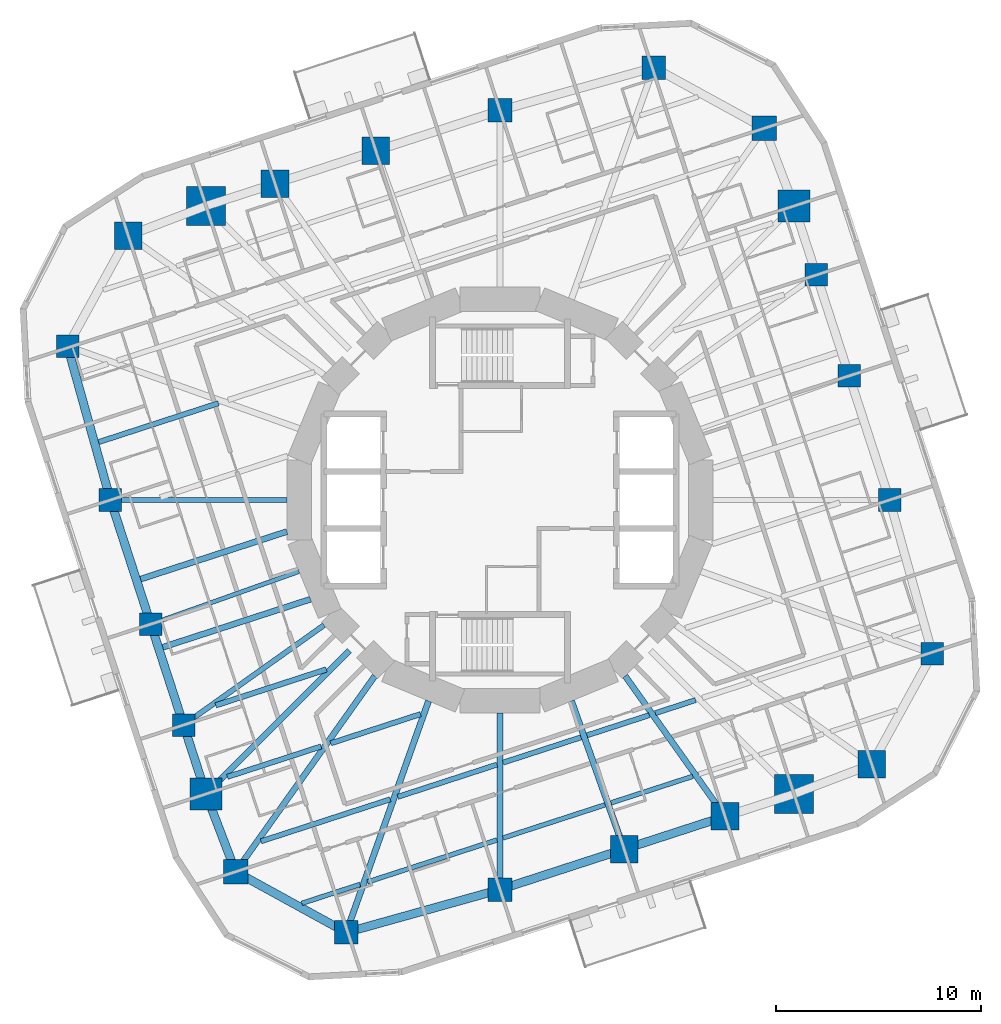
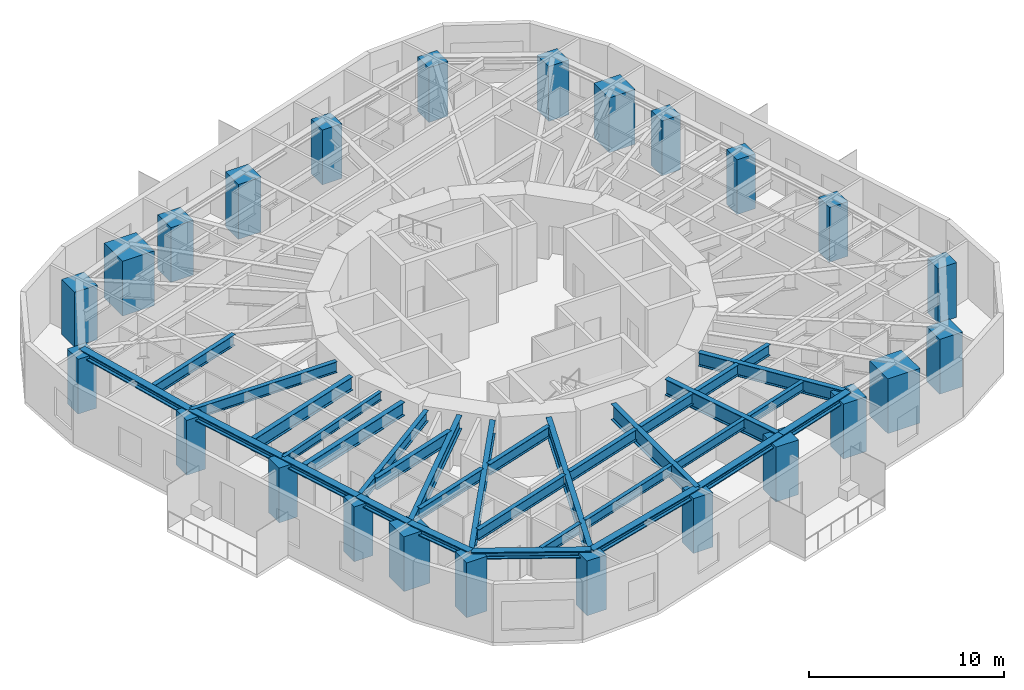
# One storey, part 1 of 12: 24 beams, 24 columns, 9 members.
"""IFC4 building model written with IfcOpenShell, lengths in metres."""

from ifc_helpers import new_model, si_unit, direction, frame, origin, origin_2d, place, context, subcontext, project, spatial, rectangle, i_section, extrude, material, material_profile, profile_set, type_object, element, save


model = new_model("IFC4")

# Units and contexts
model_context = context("Model", 3, precision=1e-05, world=origin(), true_north=direction((0.0, 1.0)))
body_context = subcontext(model_context, "Body", "Model", "MODEL_VIEW")
ifc_project = project(units=[si_unit("LENGTHUNIT", "METRE"), si_unit("AREAUNIT", "SQUARE_METRE"), si_unit("VOLUMEUNIT", "CUBIC_METRE"), si_unit("PLANEANGLEUNIT", "RADIAN"), si_unit("MASSUNIT", "GRAM", prefix="KILO")], contexts=[model_context])

# Site, building, storey
site_placement = place(None, origin())
site = spatial("IfcSite", under=ifc_project, at=site_placement, CompositionType="ELEMENT")
building_placement = place(site_placement, origin())
building = spatial("IfcBuilding", under=site, at=building_placement, Name="Nakasero Lantern House", CompositionType="ELEMENT")
storey_placement = place(building_placement, frame((0.0, 0.0, 172.60009765625)))
storey = spatial("IfcBuildingStorey", under=building, at=storey_placement, Name="L42", CompositionType="ELEMENT", Elevation=172.60009765625)

# Columns
ifc_material_1 = material(Name="Concrete C50/60", Category="concrete")
ifc_material_profile_1 = material_profile(ifc_material_1, rectangle(XDim=1.550048828125, YDim=1.550048828125, at=origin_2d()), Name="RC 1550x1550")
ifc_profile_set_1 = profile_set([ifc_material_profile_1], Name="Concrete C50/60")
column_type_1 = type_object("IfcColumnType", Name="Mega column RC 1550x1550 C50/60", PredefinedType="COLUMN", material=ifc_profile_set_1)
for number, where, z_axis, x_axis, name in (
    (1, (14.3642578125, 14.3642578125, 0.0), (0.0, 0.0, 1.0), (1.0, 0.0, 0.0), "Column B4-C06 L42"),
    (2, (-14.3642578125, -14.3642578125, 0.0), (0.0, 0.0, 1.0), (1.0, 0.0, 0.0), "Column B4-C18 L42"),
):
    element("IfcColumn", number, at=place(storey_placement, frame(where, z_axis=z_axis, x_axis=x_axis)), inside=storey, type_object=column_type_1, Name=name, PredefinedType="COLUMN", context=body_context, shape_type="SweptSolid", body=[
        extrude(rectangle(XDim=1.550048828125, YDim=1.550048828125, at=origin_2d()), origin(), (0.0, 0.0, 1.0), 3.431640625),
    ])
ifc_material_2 = material(Name="Concrete C50/60", Category="concrete")
ifc_material_profile_2 = material_profile(ifc_material_2, rectangle(XDim=1.89990234375, YDim=1.89990234375, at=origin_2d()), Name="RC 1900x1900")
ifc_profile_set_2 = profile_set([ifc_material_profile_2], Name="Concrete C50/60")
column_type_2 = type_object("IfcColumnType", Name="Mega column RC 1900x1900 C50/60", PredefinedType="COLUMN", material=ifc_profile_set_2)
for number, where, z_axis, x_axis, name in (
    (3, (-14.3642578125, 14.3642578125, 0.0), (0.0, 0.0, 1.0), (1.0, 0.0, 0.0), "Column B4-C12 L42"),
    (4, (14.3642578125, -14.3642578125, 0.0), (0.0, 0.0, 1.0), (1.0, 0.0, 0.0), "Column B4-C24 L42"),
):
    element("IfcColumn", number, at=place(storey_placement, frame(where, z_axis=z_axis, x_axis=x_axis)), inside=storey, type_object=column_type_2, Name=name, PredefinedType="COLUMN", context=body_context, shape_type="SweptSolid", body=[
        extrude(rectangle(XDim=1.89990234375, YDim=1.89990234375, at=origin_2d()), origin(), (0.0, 0.0, 1.0), 3.431640625),
    ])
ifc_material_3 = material(Name="Concrete C50/60", Category="concrete")
ifc_material_profile_3 = material_profile(ifc_material_3, rectangle(XDim=1.10009765625, YDim=1.10009765625, at=origin_2d()), Name="RC 1100x1100")
ifc_profile_set_3 = profile_set([ifc_material_profile_3], Name="Concrete C50/60")
column_type_3 = type_object("IfcColumnType", Name="Ring column RC 1100x1100 C50/60", PredefinedType="COLUMN", material=ifc_profile_set_3)
for number, where, z_axis, x_axis, name in (
    (5, (21.129638671875, -7.5126953125, 0.0), (0.0, 0.0, 1.0), (1.0, 0.0, 0.0), "Column B4-C02 L42"),
    (6, (19.031494140625, 0.0, 0.0), (0.0, 0.0, 1.0), (1.0, 0.0, 0.0), "Column B4-C03 L42"),
    (7, (17.060546875, 6.06591796875, 0.0), (0.0, 0.0, 1.0), (1.0, 0.0, 0.0), "Column B4-C04 L42"),
    (8, (15.45947265625, 10.993408203125, 0.0), (0.0, 0.0, 1.0), (1.0, 0.0, 0.0), "Column B4-C05 L42"),
    (9, (-21.129638671875, 7.5126953125, 0.0), (0.0, 0.0, 1.0), (1.0, 0.0, 0.0), "Column B4-C14 L42"),
    (10, (-19.031494140625, 0.0, 0.0), (0.0, 0.0, 1.0), (1.0, 0.0, 0.0), "Column B4-C15 L42"),
    (11, (-17.060546875, -6.06591796875, 0.0), (0.0, 0.0, 1.0), (1.0, 0.0, 0.0), "Column B4-C16 L42"),
    (12, (-15.45947265625, -10.993408203125, 0.0), (0.0, 0.0, 1.0), (1.0, 0.0, 0.0), "Column B4-C17 L42"),
):
    element("IfcColumn", number, at=place(storey_placement, frame(where, z_axis=z_axis, x_axis=x_axis)), inside=storey, type_object=column_type_3, Name=name, PredefinedType="COLUMN", context=body_context, shape_type="SweptSolid", body=[
        extrude(rectangle(XDim=1.10009765625, YDim=1.10009765625, at=origin_2d()), origin(), (0.0, 0.0, 1.0), 3.431640625),
    ])
ifc_material_4 = material(Name="Concrete C50/60", Category="concrete")
ifc_material_profile_4 = material_profile(ifc_material_4, rectangle(XDim=1.14990234375, YDim=1.14990234375, at=origin_2d()), Name="RC 1150x1150")
ifc_profile_set_4 = profile_set([ifc_material_profile_4], Name="Concrete C50/60")
column_type_4 = type_object("IfcColumnType", Name="Ring column RC 1150x1150 C50/60", PredefinedType="COLUMN", material=ifc_profile_set_4)
for number, where, z_axis, x_axis, name in (
    (13, (7.5126953125, 21.129638671875, 0.0), (0.0, 0.0, 1.0), (1.0, 0.0, 0.0), "Column B4-C08 L42"),
    (14, (0.0, 19.031494140625, 0.0), (0.0, 0.0, 1.0), (1.0, 0.0, 0.0), "Column B4-C09 L42"),
    (15, (-7.5126953125, -21.129638671875, 0.0), (0.0, 0.0, 1.0), (1.0, 0.0, 0.0), "Column B4-C20 L42"),
    (16, (0.0, -19.031494140625, 0.0), (0.0, 0.0, 1.0), (1.0, 0.0, 0.0), "Column B4-C21 L42"),
):
    element("IfcColumn", number, at=place(storey_placement, frame(where, z_axis=z_axis, x_axis=x_axis)), inside=storey, type_object=column_type_4, Name=name, PredefinedType="COLUMN", context=body_context, shape_type="SweptSolid", body=[
        extrude(rectangle(XDim=1.14990234375, YDim=1.14990234375, at=origin_2d()), origin(), (0.0, 0.0, 1.0), 3.431640625),
    ])
ifc_material_5 = material(Name="Concrete C50/60", Category="concrete")
ifc_material_profile_5 = material_profile(ifc_material_5, rectangle(XDim=1.199951171875, YDim=1.199951171875, at=origin_2d()), Name="RC 1200x1200")
ifc_profile_set_5 = profile_set([ifc_material_profile_5], Name="Concrete C50/60")
column_type_5 = type_object("IfcColumnType", Name="Ring column RC 1200x1200 C50/60", PredefinedType="COLUMN", material=ifc_profile_set_5)
for number, where, z_axis, x_axis, name in (
    (17, (12.916015625, 18.1630859375, 0.0), (0.0, 0.0, 1.0), (1.0, 0.0, 0.0), "Column B4-C07 L42"),
    (18, (-12.916015625, -18.1630859375, 0.0), (0.0, 0.0, 1.0), (1.0, 0.0, 0.0), "Column B4-C19 L42"),
):
    element("IfcColumn", number, at=place(storey_placement, frame(where, z_axis=z_axis, x_axis=x_axis)), inside=storey, type_object=column_type_5, Name=name, PredefinedType="COLUMN", context=body_context, shape_type="SweptSolid", body=[
        extrude(rectangle(XDim=1.199951171875, YDim=1.199951171875, at=origin_2d()), origin(), (0.0, 0.0, 1.0), 3.431640625),
    ])
ifc_material_6 = material(Name="Concrete C50/60", Category="concrete")
ifc_material_profile_6 = material_profile(ifc_material_6, rectangle(XDim=1.35009765625, YDim=1.35009765625, at=origin_2d()), Name="RC 1350x1350")
ifc_profile_set_6 = profile_set([ifc_material_profile_6], Name="Concrete C50/60")
column_type_6 = type_object("IfcColumnType", Name="Ring column RC 1350x1350 C50/60", PredefinedType="COLUMN", material=ifc_profile_set_6)
for number, where, z_axis, x_axis, name in (
    (19, (18.1630859375, -12.916015625, 0.0), (0.0, 0.0, 1.0), (1.0, 0.0, 0.0), "Column B4-C01 L42"),
    (20, (-6.06591796875, 17.060546875, 0.0), (0.0, 0.0, 1.0), (1.0, 0.0, 0.0), "Column B4-C10 L42"),
    (21, (-10.993408203125, 15.45947265625, 0.0), (0.0, 0.0, 1.0), (1.0, 0.0, 0.0), "Column B4-C11 L42"),
    (22, (-18.1630859375, 12.916015625, 0.0), (0.0, 0.0, 1.0), (1.0, 0.0, 0.0), "Column B4-C13 L42"),
    (23, (6.06591796875, -17.060546875, 0.0), (0.0, 0.0, 1.0), (1.0, 0.0, 0.0), "Column B4-C22 L42"),
    (24, (10.993408203125, -15.45947265625, 0.0), (0.0, 0.0, 1.0), (1.0, 0.0, 0.0), "Column B4-C23 L42"),
):
    element("IfcColumn", number, at=place(storey_placement, frame(where, z_axis=z_axis, x_axis=x_axis)), inside=storey, type_object=column_type_6, Name=name, PredefinedType="COLUMN", context=body_context, shape_type="SweptSolid", body=[
        extrude(rectangle(XDim=1.35009765625, YDim=1.35009765625, at=origin_2d()), origin(), (0.0, 0.0, 1.0), 3.431640625),
    ])

# Members
ifc_material_7 = material(Name="Steel S355", Category="steel")
ifc_material_profile_7 = material_profile(ifc_material_7, i_section(OverallWidth=0.412109375, OverallDepth=0.4365234375, WebThickness=0.035888671875, FlangeThickness=0.05810546875, FilletRadius=0.01513671875, at=origin_2d()), Name="UC 356x406x467")
ifc_profile_set_7 = profile_set([ifc_material_profile_7], Name="Steel S355")
member_type = type_object("IfcMemberType", Name="Belt truss chord UC 356x406x467", PredefinedType="CHORD", material=ifc_profile_set_7)
member_1_placement = place(storey_placement, frame((-21.129638671875, 7.5126953125, 3.431640625), z_axis=(0.268986696047, -0.963143892339, 0.0), x_axis=(0.963143892339, 0.268986696047, 0.0)))
element("IfcMember", 25, at=member_1_placement, inside=storey, type_object=member_type, Name="Belt truss bottom chord T4 B4-C14", PredefinedType="CHORD", context=body_context, shape_type="SweptSolid", body=[
    extrude(i_section(OverallWidth=0.412109375, OverallDepth=0.4365234375, WebThickness=0.035888671875, FlangeThickness=0.05810546875, FilletRadius=0.01513671875, at=origin_2d()), origin(), (0.0, 0.0, 1.0), 7.80029296875),
])
member_2_placement = place(storey_placement, frame((-19.031494140625, 0.0, 3.431640625), z_axis=(0.309018560274, -0.951056007502, 0.0), x_axis=(0.951056007502, 0.309018560274, 0.0)))
element("IfcMember", 26, at=member_2_placement, inside=storey, type_object=member_type, Name="Belt truss bottom chord T4 B4-C15", PredefinedType="CHORD", context=body_context, shape_type="SweptSolid", body=[
    extrude(i_section(OverallWidth=0.412109375, OverallDepth=0.4365234375, WebThickness=0.035888671875, FlangeThickness=0.05810546875, FilletRadius=0.01513671875, at=origin_2d()), origin(), (0.0, 0.0, 1.0), 6.378173828125),
])
member_3_placement = place(storey_placement, frame((-17.060546875, -6.06591796875, 3.431640625), z_axis=(0.309023207396, -0.95105449754, 0.0), x_axis=(0.95105449754, 0.309023207396, 0.0)))
element("IfcMember", 27, at=member_3_placement, inside=storey, type_object=member_type, Name="Belt truss bottom chord T4 B4-C16", PredefinedType="CHORD", context=body_context, shape_type="SweptSolid", body=[
    extrude(i_section(OverallWidth=0.412109375, OverallDepth=0.4365234375, WebThickness=0.035888671875, FlangeThickness=0.05810546875, FilletRadius=0.01513671875, at=origin_2d()), origin(), (0.0, 0.0, 1.0), 5.18115234375),
])
member_4_placement = place(storey_placement, frame((-15.45947265625, -10.993408203125, 3.431640625), z_axis=(0.309006636447, -0.951059881727, 0.0), x_axis=(0.951059881727, 0.309006636447, 0.0)))
element("IfcMember", 28, at=member_4_placement, inside=storey, type_object=member_type, Name="Belt truss bottom chord T4 B4-C17", PredefinedType="CHORD", context=body_context, shape_type="SweptSolid", body=[
    extrude(i_section(OverallWidth=0.412109375, OverallDepth=0.4365234375, WebThickness=0.035888671875, FlangeThickness=0.05810546875, FilletRadius=0.01513671875, at=origin_2d()), origin(), (0.0, 0.0, 1.0), 3.544189453125),
])
member_5_placement = place(storey_placement, frame((-14.3642578125, -14.3642578125, 3.431640625), z_axis=(0.35622505813, -0.934400186194, 0.0), x_axis=(0.934400186194, 0.35622505813, 0.0)))
element("IfcMember", 29, at=member_5_placement, inside=storey, type_object=member_type, Name="Belt truss bottom chord T4 B4-C18", PredefinedType="CHORD", context=body_context, shape_type="SweptSolid", body=[
    extrude(i_section(OverallWidth=0.412109375, OverallDepth=0.4365234375, WebThickness=0.035888671875, FlangeThickness=0.05810546875, FilletRadius=0.01513671875, at=origin_2d()), origin(), (0.0, 0.0, 1.0), 4.0654296875),
])
member_6_placement = place(storey_placement, frame((-12.916015625, -18.1630859375, 3.431640625), z_axis=(0.876576912681, -0.481261795861, 0.0), x_axis=(0.481261795861, 0.876576912681, 0.0)))
element("IfcMember", 30, at=member_6_placement, inside=storey, type_object=member_type, Name="Belt truss bottom chord T4 B4-C19", PredefinedType="CHORD", context=body_context, shape_type="SweptSolid", body=[
    extrude(i_section(OverallWidth=0.412109375, OverallDepth=0.4365234375, WebThickness=0.035888671875, FlangeThickness=0.05810546875, FilletRadius=0.01513671875, at=origin_2d()), origin(), (0.0, 0.0, 1.0), 6.1640625),
])
member_7_placement = place(storey_placement, frame((-7.5126953125, -21.129638671875, 3.431640625), z_axis=(0.963143892339, 0.268986696047, 0.0), x_axis=(-0.268986696047, 0.963143892339, 0.0)))
element("IfcMember", 31, at=member_7_placement, inside=storey, type_object=member_type, Name="Belt truss bottom chord T4 B4-C20", PredefinedType="CHORD", context=body_context, shape_type="SweptSolid", body=[
    extrude(i_section(OverallWidth=0.412109375, OverallDepth=0.4365234375, WebThickness=0.035888671875, FlangeThickness=0.05810546875, FilletRadius=0.01513671875, at=origin_2d()), origin(), (0.0, 0.0, 1.0), 7.80029296875),
])
member_8_placement = place(storey_placement, frame((0.0, -19.031494140625, 3.431640625), z_axis=(0.951056007502, 0.309018560274, 0.0), x_axis=(-0.309018560274, 0.951056007502, 0.0)))
element("IfcMember", 32, at=member_8_placement, inside=storey, type_object=member_type, Name="Belt truss bottom chord T4 B4-C21", PredefinedType="CHORD", context=body_context, shape_type="SweptSolid", body=[
    extrude(i_section(OverallWidth=0.412109375, OverallDepth=0.4365234375, WebThickness=0.035888671875, FlangeThickness=0.05810546875, FilletRadius=0.01513671875, at=origin_2d()), origin(), (0.0, 0.0, 1.0), 6.378173828125),
])
member_9_placement = place(storey_placement, frame((6.06591796875, -17.060546875, 3.431640625), z_axis=(0.95105449754, 0.309023207396, 0.0), x_axis=(-0.309023207396, 0.95105449754, 0.0)))
element("IfcMember", 33, at=member_9_placement, inside=storey, type_object=member_type, Name="Belt truss bottom chord T4 B4-C22", PredefinedType="CHORD", context=body_context, shape_type="SweptSolid", body=[
    extrude(i_section(OverallWidth=0.412109375, OverallDepth=0.4365234375, WebThickness=0.035888671875, FlangeThickness=0.05810546875, FilletRadius=0.01513671875, at=origin_2d()), origin(), (0.0, 0.0, 1.0), 5.18115234375),
])

# Beams
ifc_material_8 = material(Name="Steel S355", Category="steel")
ifc_material_profile_8 = material_profile(ifc_material_8, i_section(OverallWidth=0.22900390625, OverallDepth=0.6123046875, WebThickness=0.011962890625, FlangeThickness=0.01953125, FilletRadius=0.0126953125, at=origin_2d()), Name="UB 610x229x125")
ifc_profile_set_8 = profile_set([ifc_material_profile_8], Name="Steel S355")
beam_type_1 = type_object("IfcBeamType", Name="Infill beam UB 610x229x125", PredefinedType="JOIST", material=ifc_profile_set_8)
beam_1_placement = place(storey_placement, frame((-9.6787109375, -19.705322265625, 3.34375), z_axis=(0.951050280561, 0.309036185332, 0.0), x_axis=(-0.309036185332, 0.951050280561, 0.0)))
element("IfcBeam", 34, at=beam_1_placement, inside=storey, type_object=beam_type_1, Name="Infill beam L43 03.1", PredefinedType="JOIST", context=body_context, shape_type="SweptSolid", body=[
    extrude(i_section(OverallWidth=0.22900390625, OverallDepth=0.6123046875, WebThickness=0.011962890625, FlangeThickness=0.01953125, FilletRadius=0.0126953125, at=origin_2d()), origin(), (0.0, 0.0, 1.0), 2.98779296875),
])
beam_2_placement = place(storey_placement, frame((-6.477294921875, -18.6650390625, 3.34375), z_axis=(0.951066694187, 0.308985668289, 0.0), x_axis=(-0.308985668289, 0.951066694187, 0.0)))
element("IfcBeam", 35, at=beam_2_placement, inside=storey, type_object=beam_type_1, Name="Infill beam L43 03.2", PredefinedType="JOIST", context=body_context, shape_type="SweptSolid", body=[
    extrude(i_section(OverallWidth=0.22900390625, OverallDepth=0.6123046875, WebThickness=0.011962890625, FlangeThickness=0.01953125, FilletRadius=0.0126953125, at=origin_2d()), origin(), (0.0, 0.0, 1.0), 6.65283203125),
])
beam_3_placement = place(storey_placement, frame((0.14990234375, -16.51171875, 3.34375), z_axis=(0.951059395916, 0.309008131673, 0.0), x_axis=(-0.309008131673, 0.951059395916, 0.0)))
element("IfcBeam", 36, at=beam_3_placement, inside=storey, type_object=beam_type_1, Name="Infill beam L43 03.3", PredefinedType="JOIST", context=body_context, shape_type="SweptSolid", body=[
    extrude(i_section(OverallWidth=0.22900390625, OverallDepth=0.6123046875, WebThickness=0.011962890625, FlangeThickness=0.01953125, FilletRadius=0.0126953125, at=origin_2d()), origin(), (0.0, 0.0, 1.0), 5.241455078125),
])
beam_4_placement = place(storey_placement, frame((5.422119140625, -14.798828125, 3.34375), z_axis=(0.951060098043, 0.309005970671, 0.0), x_axis=(-0.309005970671, 0.951060098043, 0.0)))
element("IfcBeam", 37, at=beam_4_placement, inside=storey, type_object=beam_type_1, Name="Infill beam L43 03.4", PredefinedType="JOIST", context=body_context, shape_type="SweptSolid", body=[
    extrude(i_section(OverallWidth=0.22900390625, OverallDepth=0.6123046875, WebThickness=0.011962890625, FlangeThickness=0.01953125, FilletRadius=0.0126953125, at=origin_2d()), origin(), (0.0, 0.0, 1.0), 4.2041015625),
])
ifc_material_9 = material(Name="Steel S355", Category="steel")
ifc_material_profile_9 = material_profile(ifc_material_9, i_section(OverallWidth=0.253662109375, OverallDepth=0.68359375, WebThickness=0.012451171875, FlangeThickness=0.01904296875, FilletRadius=0.01513671875, at=origin_2d()), Name="UB 686x254x140")
ifc_profile_set_9 = profile_set([ifc_material_profile_9], Name="Steel S355")
beam_type_2 = type_object("IfcBeamType", Name="Infill beam UB 686x254x140", PredefinedType="JOIST", material=ifc_profile_set_9)
beam_5_placement = place(storey_placement, frame((-11.67822265625, -16.675048828125, 3.30810546875), z_axis=(0.951051345543, 0.309032907861, 0.0), x_axis=(-0.309032907861, 0.951051345543, 0.0)))
element("IfcBeam", 38, at=beam_5_placement, inside=storey, type_object=beam_type_2, Name="Infill beam L43 04.1", PredefinedType="JOIST", context=body_context, shape_type="SweptSolid", body=[
    extrude(i_section(OverallWidth=0.253662109375, OverallDepth=0.68359375, WebThickness=0.012451171875, FlangeThickness=0.01904296875, FilletRadius=0.01513671875, at=origin_2d()), origin(), (0.0, 0.0, 1.0), 6.6455078125),
])
beam_6_placement = place(storey_placement, frame((-4.997802734375, -14.50439453125, 3.30810546875), z_axis=(0.951055536711, 0.309020009209, 0.0), x_axis=(-0.309020009209, 0.951055536711, 0.0)))
element("IfcBeam", 39, at=beam_6_placement, inside=storey, type_object=beam_type_2, Name="Infill beam L43 04.2", PredefinedType="JOIST", context=body_context, shape_type="SweptSolid", body=[
    extrude(i_section(OverallWidth=0.253662109375, OverallDepth=0.68359375, WebThickness=0.012451171875, FlangeThickness=0.01904296875, FilletRadius=0.01513671875, at=origin_2d()), origin(), (0.0, 0.0, 1.0), 5.097412109375),
])
beam_7_placement = place(storey_placement, frame((0.14990234375, -12.831787109375, 3.30810546875), z_axis=(0.951056001018, 0.309018580232, 0.0), x_axis=(-0.309018580232, 0.951056001018, 0.0)))
element("IfcBeam", 40, at=beam_7_placement, inside=storey, type_object=beam_type_2, Name="Infill beam L43 04.3", PredefinedType="JOIST", context=body_context, shape_type="SweptSolid", body=[
    extrude(i_section(OverallWidth=0.253662109375, OverallDepth=0.68359375, WebThickness=0.012451171875, FlangeThickness=0.01904296875, FilletRadius=0.01513671875, at=origin_2d()), origin(), (0.0, 0.0, 1.0), 4.0078125),
])
beam_8_placement = place(storey_placement, frame((4.2490234375, -11.499755859375, 3.30810546875), z_axis=(0.951064877985, 0.308991258555, 0.0), x_axis=(-0.308991258555, 0.951064877985, 0.0)))
element("IfcBeam", 41, at=beam_8_placement, inside=storey, type_object=beam_type_2, Name="Infill beam L43 04.4", PredefinedType="JOIST", context=body_context, shape_type="SweptSolid", body=[
    extrude(i_section(OverallWidth=0.253662109375, OverallDepth=0.68359375, WebThickness=0.012451171875, FlangeThickness=0.01904296875, FilletRadius=0.01513671875, at=origin_2d()), origin(), (0.0, 0.0, 1.0), 3.202392578125),
])
beam_9_placement = place(storey_placement, frame((7.5859375, -10.41552734375, 3.30810546875), z_axis=(0.951068662766, 0.308979608881, 0.0), x_axis=(-0.308979608881, 0.951068662766, 0.0)))
element("IfcBeam", 42, at=beam_9_placement, inside=storey, type_object=beam_type_2, Name="Infill beam L43 04.5", PredefinedType="JOIST", context=body_context, shape_type="SweptSolid", body=[
    extrude(i_section(OverallWidth=0.253662109375, OverallDepth=0.68359375, WebThickness=0.012451171875, FlangeThickness=0.01904296875, FilletRadius=0.01513671875, at=origin_2d()), origin(), (0.0, 0.0, 1.0), 2.07421875),
])
ifc_material_10 = material(Name="Steel S355", Category="steel")
ifc_material_profile_10 = material_profile(ifc_material_10, i_section(OverallWidth=0.255859375, OverallDepth=0.69287109375, WebThickness=0.014404296875, FlangeThickness=0.023681640625, FilletRadius=0.01513671875, at=origin_2d()), Name="UB 686x254x170")
ifc_profile_set_10 = profile_set([ifc_material_profile_10], Name="Steel S355")
beam_type_3 = type_object("IfcBeamType", Name="Infill beam UB 686x254x170", PredefinedType="JOIST", material=ifc_profile_set_10)
beam_10_placement = place(storey_placement, frame((-13.322265625, -13.529052734375, 3.303466796875), z_axis=(0.951043753501, 0.309056271458, 0.0), x_axis=(-0.309056271458, 0.951043753501, 0.0)))
element("IfcBeam", 43, at=beam_10_placement, inside=storey, type_object=beam_type_3, Name="Infill beam L43 05.1", PredefinedType="JOIST", context=body_context, shape_type="SweptSolid", body=[
    extrude(i_section(OverallWidth=0.255859375, OverallDepth=0.69287109375, WebThickness=0.014404296875, FlangeThickness=0.023681640625, FilletRadius=0.01513671875, at=origin_2d()), origin(), (0.0, 0.0, 1.0), 4.81640625),
])
beam_11_placement = place(storey_placement, frame((-8.27490234375, -11.888916015625, 3.303466796875), z_axis=(0.95105890485, 0.309009643063, 0.0), x_axis=(-0.309009643063, 0.95105890485, 0.0)))
element("IfcBeam", 44, at=beam_11_placement, inside=storey, type_object=beam_type_3, Name="Infill beam L43 05.2", PredefinedType="JOIST", context=body_context, shape_type="SweptSolid", body=[
    extrude(i_section(OverallWidth=0.255859375, OverallDepth=0.69287109375, WebThickness=0.014404296875, FlangeThickness=0.023681640625, FilletRadius=0.01513671875, at=origin_2d()), origin(), (0.0, 0.0, 1.0), 4.622802734375),
])
beam_12_placement = place(storey_placement, frame((-19.607666015625, 2.829345703125, 3.303466796875), z_axis=(0.95105593008, 0.309018798554, 0.0), x_axis=(-0.309018798554, 0.95105593008, 0.0)))
element("IfcBeam", 45, at=beam_12_placement, inside=storey, type_object=beam_type_3, Name="Infill beam L43 10.1", PredefinedType="JOIST", context=body_context, shape_type="SweptSolid", body=[
    extrude(i_section(OverallWidth=0.255859375, OverallDepth=0.69287109375, WebThickness=0.014404296875, FlangeThickness=0.023681640625, FilletRadius=0.01513671875, at=origin_2d()), origin(), (0.0, 0.0, 1.0), 6.154541015625),
])
ifc_material_11 = material(Name="Steel S355", Category="steel")
ifc_material_profile_11 = material_profile(ifc_material_11, i_section(OverallWidth=0.2666015625, OverallDepth=0.76220703125, WebThickness=0.014404296875, FlangeThickness=0.021484375, FilletRadius=0.0166015625, at=origin_2d()), Name="UB 762x267x173")
ifc_profile_set_11 = profile_set([ifc_material_profile_11], Name="Steel S355")
beam_type_4 = type_object("IfcBeamType", Name="Infill beam UB 762x267x173", PredefinedType="JOIST", material=ifc_profile_set_11)
beam_13_placement = place(storey_placement, frame((-13.887451171875, -10.032470703125, 3.268798828125), z_axis=(0.951057747163, 0.309013206126, 0.0), x_axis=(-0.309013206126, 0.951057747163, 0.0)))
element("IfcBeam", 46, at=beam_13_placement, inside=storey, type_object=beam_type_4, Name="Infill beam L43 06.1", PredefinedType="JOIST", context=body_context, shape_type="SweptSolid", body=[
    extrude(i_section(OverallWidth=0.2666015625, OverallDepth=0.76220703125, WebThickness=0.014404296875, FlangeThickness=0.021484375, FilletRadius=0.0166015625, at=origin_2d()), origin(), (0.0, 0.0, 1.0), 5.68212890625),
])
ifc_material_12 = material(Name="Steel S355", Category="steel")
ifc_material_profile_12 = material_profile(ifc_material_12, i_section(OverallWidth=0.29248046875, OverallDepth=0.8408203125, WebThickness=0.0146484375, FlangeThickness=0.02685546875, FilletRadius=0.017822265625, at=origin_2d()), Name="UB 838x292x194")
ifc_profile_set_12 = profile_set([ifc_material_profile_12], Name="Steel S355")
beam_type_5 = type_object("IfcBeamType", Name="Infill beam UB 838x292x194", PredefinedType="JOIST", material=ifc_profile_set_12)
beam_14_placement = place(storey_placement, frame((-16.477294921875, -7.19384765625, 3.2294921875), z_axis=(0.951055100236, 0.309021352523, 0.0), x_axis=(-0.309021352523, 0.951055100236, 0.0)))
element("IfcBeam", 47, at=beam_14_placement, inside=storey, type_object=beam_type_5, Name="Infill beam L43 07.1", PredefinedType="JOIST", context=body_context, shape_type="SweptSolid", body=[
    extrude(i_section(OverallWidth=0.29248046875, OverallDepth=0.8408203125, WebThickness=0.0146484375, FlangeThickness=0.02685546875, FilletRadius=0.017822265625, at=origin_2d()), origin(), (0.0, 0.0, 1.0), 7.591552734375),
])
beam_15_placement = place(storey_placement, frame((-17.558837890625, -3.865234375, 3.2294921875), z_axis=(0.951055541997, 0.309019992939, 0.0), x_axis=(-0.309019992939, 0.951055541997, 0.0)))
element("IfcBeam", 48, at=beam_15_placement, inside=storey, type_object=beam_type_5, Name="Infill beam L43 08.1", PredefinedType="JOIST", context=body_context, shape_type="SweptSolid", body=[
    extrude(i_section(OverallWidth=0.29248046875, OverallDepth=0.8408203125, WebThickness=0.0146484375, FlangeThickness=0.02685546875, FilletRadius=0.017822265625, at=origin_2d()), origin(), (0.0, 0.0, 1.0), 7.518798828125),
])
ifc_material_13 = material(Name="Steel S355", Category="steel")
ifc_material_profile_13 = material_profile(ifc_material_13, i_section(OverallWidth=0.300048828125, OverallDepth=1.0, WebThickness=0.01904296875, FlangeThickness=0.035888671875, FilletRadius=0.030029296875, at=origin_2d()), Name="UB 1016x305x314")
ifc_profile_set_13 = profile_set([ifc_material_profile_13], Name="Steel S355")
beam_type_6 = type_object("IfcBeamType", Name="Primary beam UB 1016x305x314, span 12 to 15 m", PredefinedType="BEAM", material=ifc_profile_set_13)
beam_16_placement = place(storey_placement, frame((-7.5126953125, -21.129638671875, 3.14990234375), z_axis=(0.335012877559, 0.942213548974, 0.0), x_axis=(-0.942213548974, 0.335012877559, 0.0)))
element("IfcBeam", 49, at=beam_16_placement, inside=storey, type_object=beam_type_6, Name="Primary beam L43 B4-C20", PredefinedType="BEAM", context=body_context, shape_type="SweptSolid", body=[
    extrude(i_section(OverallWidth=0.300048828125, OverallDepth=1.0, WebThickness=0.01904296875, FlangeThickness=0.035888671875, FilletRadius=0.030029296875, at=origin_2d()), origin(), (0.0, 0.0, 1.0), 12.00390625),
])
ifc_material_14 = material(Name="Steel S355", Category="steel")
ifc_material_profile_14 = material_profile(ifc_material_14, i_section(OverallWidth=0.300048828125, OverallDepth=1.0, WebThickness=0.01904296875, FlangeThickness=0.035888671875, FilletRadius=0.030029296875, at=origin_2d()), Name="UB 1016x305x314")
ifc_profile_set_14 = profile_set([ifc_material_profile_14], Name="Steel S355")
beam_type_7 = type_object("IfcBeamType", Name="Primary beam UB 1016x305x314, span 6 to 9 m", PredefinedType="BEAM", material=ifc_profile_set_14)
beam_17_placement = place(storey_placement, frame((0.0, -19.031494140625, 3.14990234375), z_axis=(0.0, 1.0, 0.0), x_axis=(-1.0, 0.0, 0.0)))
element("IfcBeam", 50, at=beam_17_placement, inside=storey, type_object=beam_type_7, Name="Primary beam L43 B4-C21", PredefinedType="BEAM", context=body_context, shape_type="SweptSolid", body=[
    extrude(i_section(OverallWidth=0.300048828125, OverallDepth=1.0, WebThickness=0.01904296875, FlangeThickness=0.035888671875, FilletRadius=0.030029296875, at=origin_2d()), origin(), (0.0, 0.0, 1.0), 8.62353515625),
])
ifc_material_15 = material(Name="Steel S355", Category="steel")
ifc_material_profile_15 = material_profile(ifc_material_15, i_section(OverallWidth=0.302001953125, OverallDepth=1.008056640625, WebThickness=0.02099609375, FlangeThickness=0.0400390625, FilletRadius=0.030029296875, at=origin_2d()), Name="UB 1016x305x349")
ifc_profile_set_15 = profile_set([ifc_material_profile_15], Name="Steel S355")
beam_type_8 = type_object("IfcBeamType", Name="Primary beam UB 1016x305x349, span 6 to 9 m", PredefinedType="BEAM", material=ifc_profile_set_15)
beam_18_placement = place(storey_placement, frame((6.06591796875, -17.060546875, 3.145751953125), z_axis=(-0.335015934723, 0.942212461965, 0.0), x_axis=(-0.942212461965, -0.335015934723, 0.0)))
element("IfcBeam", 51, at=beam_18_placement, inside=storey, type_object=beam_type_8, Name="Primary beam L43 B4-C22", PredefinedType="BEAM", context=body_context, shape_type="SweptSolid", body=[
    extrude(i_section(OverallWidth=0.302001953125, OverallDepth=1.008056640625, WebThickness=0.02099609375, FlangeThickness=0.0400390625, FilletRadius=0.030029296875, at=origin_2d()), origin(), (0.0, 0.0, 1.0), 7.685302734375),
])
ifc_material_16 = material(Name="Steel S355", Category="steel")
ifc_material_profile_16 = material_profile(ifc_material_16, i_section(OverallWidth=0.2099609375, OverallDepth=0.53662109375, WebThickness=0.0107421875, FlangeThickness=0.017333984375, FilletRadius=0.0126953125, at=origin_2d()), Name="UB 533x210x101")
ifc_profile_set_16 = profile_set([ifc_material_profile_16], Name="Steel S355")
beam_type_9 = type_object("IfcBeamType", Name="Primary beam UB 533x210x101, span 6 to 9 m", PredefinedType="BEAM", material=ifc_profile_set_16)
beam_19_placement = place(storey_placement, frame((-17.060546875, -6.06591796875, 3.381591796875), z_axis=(0.942212461965, 0.335015934723, 0.0), x_axis=(-0.335015934723, 0.942212461965, 0.0)))
element("IfcBeam", 52, at=beam_19_placement, inside=storey, type_object=beam_type_9, Name="Primary beam L43 B4-C16", PredefinedType="BEAM", context=body_context, shape_type="SweptSolid", body=[
    extrude(i_section(OverallWidth=0.2099609375, OverallDepth=0.53662109375, WebThickness=0.0107421875, FlangeThickness=0.017333984375, FilletRadius=0.0126953125, at=origin_2d()), origin(), (0.0, 0.0, 1.0), 7.685302734375),
])
ifc_material_17 = material(Name="Steel S355", Category="steel")
ifc_material_profile_17 = material_profile(ifc_material_17, i_section(OverallWidth=0.253662109375, OverallDepth=0.68359375, WebThickness=0.012451171875, FlangeThickness=0.01904296875, FilletRadius=0.01513671875, at=origin_2d()), Name="UB 686x254x140")
ifc_profile_set_17 = profile_set([ifc_material_profile_17], Name="Steel S355")
beam_type_10 = type_object("IfcBeamType", Name="Primary beam UB 686x254x140, span 6 to 9 m", PredefinedType="BEAM", material=ifc_profile_set_17)
beam_20_placement = place(storey_placement, frame((-19.031494140625, 0.0, 3.30810546875), z_axis=(1.0, 0.0, 0.0), x_axis=(0.0, 1.0, 0.0)))
element("IfcBeam", 53, at=beam_20_placement, inside=storey, type_object=beam_type_10, Name="Primary beam L43 B4-C15", PredefinedType="BEAM", context=body_context, shape_type="SweptSolid", body=[
    extrude(i_section(OverallWidth=0.253662109375, OverallDepth=0.68359375, WebThickness=0.012451171875, FlangeThickness=0.01904296875, FilletRadius=0.01513671875, at=origin_2d()), origin(), (0.0, 0.0, 1.0), 8.62353515625),
])
ifc_material_18 = material(Name="Steel S355", Category="steel")
ifc_material_profile_18 = material_profile(ifc_material_18, i_section(OverallWidth=0.255859375, OverallDepth=0.69287109375, WebThickness=0.014404296875, FlangeThickness=0.023681640625, FilletRadius=0.01513671875, at=origin_2d()), Name="UB 686x254x170")
ifc_profile_set_18 = profile_set([ifc_material_profile_18], Name="Steel S355")
beam_type_11 = type_object("IfcBeamType", Name="Primary beam UB 686x254x170, span 6 to 9 m", PredefinedType="BEAM", material=ifc_profile_set_18)
beam_21_placement = place(storey_placement, frame((-15.45947265625, -10.993408203125, 3.303466796875), z_axis=(0.81495106139, 0.579529781409, 0.0), x_axis=(-0.579529781409, 0.81495106139, 0.0)))
element("IfcBeam", 54, at=beam_21_placement, inside=storey, type_object=beam_type_11, Name="Primary beam L43 B4-C17", PredefinedType="BEAM", context=body_context, shape_type="SweptSolid", body=[
    extrude(i_section(OverallWidth=0.255859375, OverallDepth=0.69287109375, WebThickness=0.014404296875, FlangeThickness=0.023681640625, FilletRadius=0.01513671875, at=origin_2d()), origin(), (0.0, 0.0, 1.0), 8.41455078125),
])
ifc_material_19 = material(Name="Steel S355", Category="steel")
ifc_material_profile_19 = material_profile(ifc_material_19, i_section(OverallWidth=0.29248046875, OverallDepth=0.8408203125, WebThickness=0.0146484375, FlangeThickness=0.02685546875, FilletRadius=0.017822265625, at=origin_2d()), Name="UB 838x292x194")
ifc_profile_set_19 = profile_set([ifc_material_profile_19], Name="Steel S355")
beam_type_12 = type_object("IfcBeamType", Name="Primary beam UB 838x292x194, span 6 to 9 m", PredefinedType="BEAM", material=ifc_profile_set_19)
beam_22_placement = place(storey_placement, frame((10.993408203125, -15.45947265625, 3.2294921875), z_axis=(-0.579529781409, 0.81495106139, 0.0), x_axis=(-0.81495106139, -0.579529781409, 0.0)))
element("IfcBeam", 55, at=beam_22_placement, inside=storey, type_object=beam_type_12, Name="Primary beam L43 B4-C23", PredefinedType="BEAM", context=body_context, shape_type="SweptSolid", body=[
    extrude(i_section(OverallWidth=0.29248046875, OverallDepth=0.8408203125, WebThickness=0.0146484375, FlangeThickness=0.02685546875, FilletRadius=0.017822265625, at=origin_2d()), origin(), (0.0, 0.0, 1.0), 8.41455078125),
])
ifc_material_20 = material(Name="Steel S355", Category="steel")
ifc_material_profile_20 = material_profile(ifc_material_20, i_section(OverallWidth=0.29248046875, OverallDepth=0.8408203125, WebThickness=0.0146484375, FlangeThickness=0.02685546875, FilletRadius=0.017822265625, at=origin_2d()), Name="UB 838x292x194")
ifc_profile_set_20 = profile_set([ifc_material_profile_20], Name="Steel S355")
beam_type_13 = type_object("IfcBeamType", Name="Primary beam UB 838x292x194, span 9 to 12 m", PredefinedType="BEAM", material=ifc_profile_set_20)
beam_23_placement = place(storey_placement, frame((-14.3642578125, -14.3642578125, 3.2294921875), z_axis=(0.707106781187, 0.707106781187, 0.0), x_axis=(-0.707106781187, 0.707106781187, 0.0)))
element("IfcBeam", 56, at=beam_23_placement, inside=storey, type_object=beam_type_13, Name="Primary beam L43 B4-C18", PredefinedType="BEAM", context=body_context, shape_type="SweptSolid", body=[
    extrude(i_section(OverallWidth=0.29248046875, OverallDepth=0.8408203125, WebThickness=0.0146484375, FlangeThickness=0.02685546875, FilletRadius=0.017822265625, at=origin_2d()), origin(), (0.0, 0.0, 1.0), 9.906494140625),
])
beam_24_placement = place(storey_placement, frame((-12.916015625, -18.1630859375, 3.2294921875), z_axis=(0.579530236062, 0.814950738075, 0.0), x_axis=(-0.814950738075, 0.579530236062, 0.0)))
element("IfcBeam", 57, at=beam_24_placement, inside=storey, type_object=beam_type_13, Name="Primary beam L43 B4-C19", PredefinedType="BEAM", context=body_context, shape_type="SweptSolid", body=[
    extrude(i_section(OverallWidth=0.29248046875, OverallDepth=0.8408203125, WebThickness=0.0146484375, FlangeThickness=0.02685546875, FilletRadius=0.017822265625, at=origin_2d()), origin(), (0.0, 0.0, 1.0), 11.73193359375),
])

save(model, "model.ifc")
